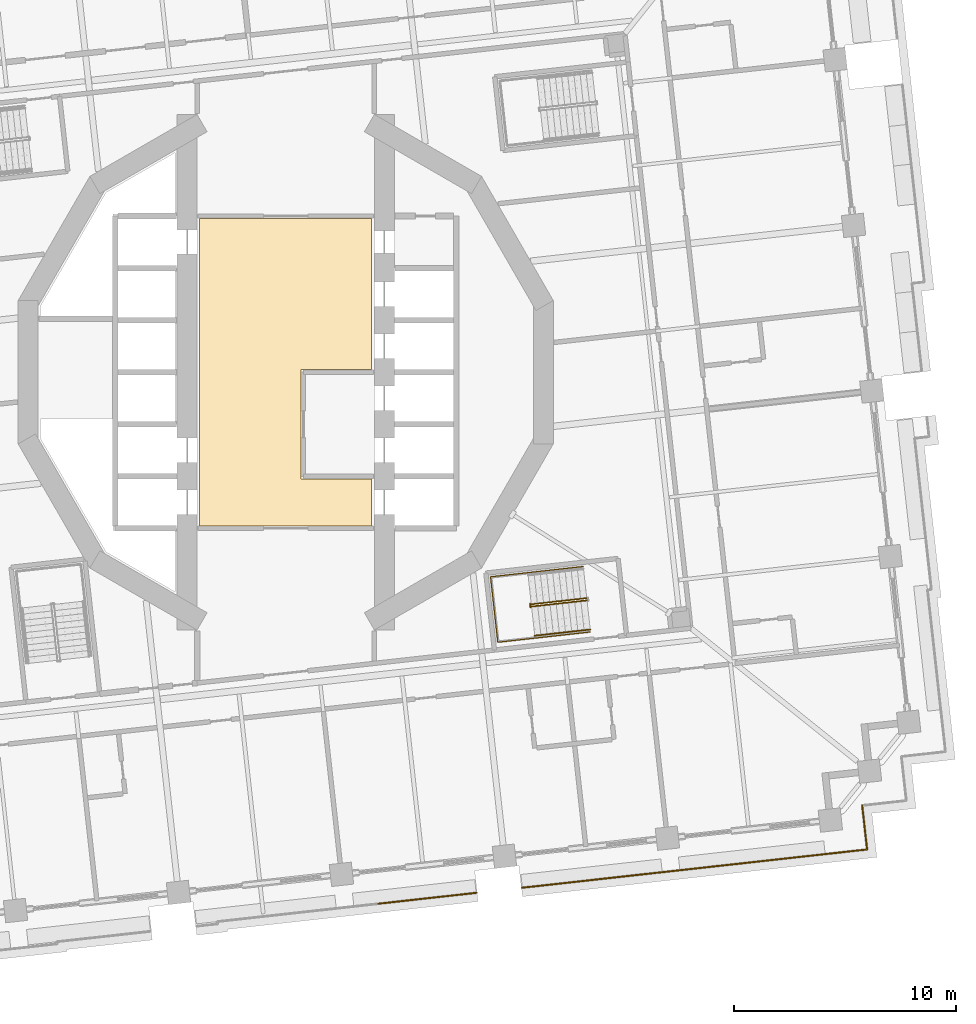
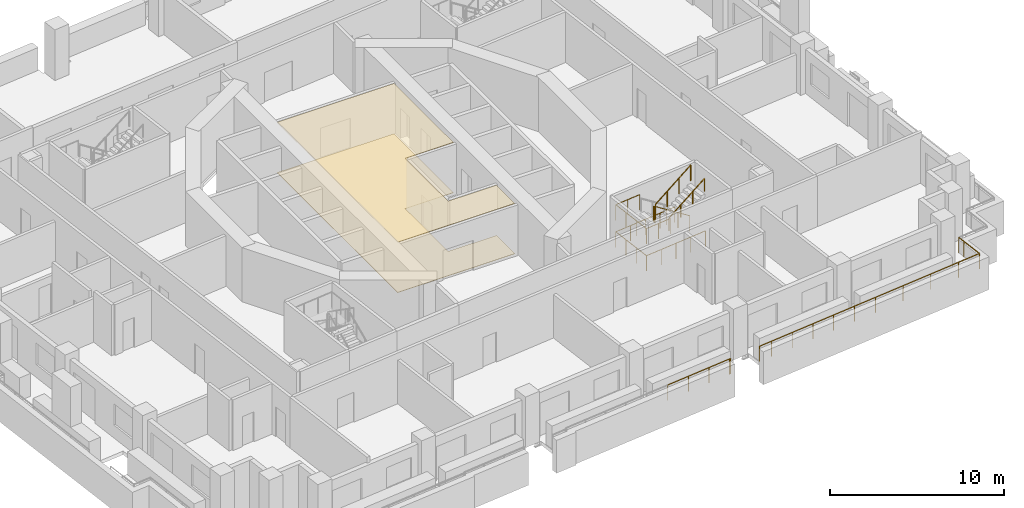
# One storey, part 14 of 19: 7 railings, 2 coverings.
"""IFC4 building model written with IfcOpenShell, lengths in metres."""

from ifc_helpers import new_model, si_unit, direction, frame, origin, origin_2d, place, context, subcontext, project, spatial, polyline, circle, outline, extrude, material, layer, layer_set, type_object, element, save


model = new_model("IFC4")

# Units and contexts
model_context = context("Model", 3, precision=1e-05, world=origin(), true_north=direction((0.0, 1.0)))
body_context = subcontext(model_context, "Body", "Model", "MODEL_VIEW")
ifc_project = project(units=[si_unit("LENGTHUNIT", "METRE"), si_unit("AREAUNIT", "SQUARE_METRE"), si_unit("VOLUMEUNIT", "CUBIC_METRE"), si_unit("PLANEANGLEUNIT", "RADIAN"), si_unit("MASSUNIT", "GRAM", prefix="KILO")], contexts=[model_context])

# Site, building, storey
site_placement = place(None, origin())
site = spatial("IfcSite", under=ifc_project, at=site_placement, CompositionType="ELEMENT")
building_placement = place(site_placement, origin())
building = spatial("IfcBuilding", under=site, at=building_placement, Name="Cantera Rosa Tower", CompositionType="ELEMENT")
storey_placement = place(building_placement, frame((0.0, 0.0, 53.89990234375)))
storey = spatial("IfcBuildingStorey", under=building, at=storey_placement, Name="L10", CompositionType="ELEMENT", Elevation=53.89990234375)

# Railings
ifc_material_1 = material(Name="Stainless steel and laminated glass", Category="steel")
railing_type_1 = type_object("IfcRailingType", Name="GUARD 1100", PredefinedType="BALUSTRADE", material=ifc_material_1)
railing_1_placement = place(storey_placement, frame((8.6142578125, -23.4931640625, 0.0)))
element("IfcRailing", 1, at=railing_1_placement, inside=storey, type_object=railing_type_1, Name="GUARD L10-8", PredefinedType="BALUSTRADE", context=body_context, shape_type="SweptSolid", body=[
    extrude(circle(Radius=0.030029296875, at=origin_2d()), frame((0.0, 0.0, 1.070068359375), z_axis=(-0.994136314057, -0.108134125389, 0.0), x_axis=(0.108134125389, -0.994136314057, 0.0)), (0.0, 0.0, 1.0), 0.070068359375),
    extrude(circle(Radius=0.030029296875, at=origin_2d()), frame((-0.069580078125, -0.007568359375, 1.070068359375), z_axis=(-0.993891851654, -0.110358448777, 0.0), x_axis=(0.110358448777, -0.993891851654, 0.0)), (0.0, 0.0, 1.0), 4.400146484375),
    extrude(circle(Radius=0.02490234375, at=origin_2d()), origin(), (0.0, 0.0, 1.0), 1.0400390625),
    extrude(circle(Radius=0.02490234375, at=origin_2d()), frame((-0.069580078125, -0.007568359375, 0.0)), (0.0, 0.0, 1.0), 1.0400390625),
    extrude(circle(Radius=0.02490234375, at=origin_2d()), frame((-1.52734375, -0.16943359375, 0.0)), (0.0, 0.0, 1.0), 1.0400390625),
    extrude(circle(Radius=0.02490234375, at=origin_2d()), frame((-2.985107421875, -0.331298828125, 0.0)), (0.0, 0.0, 1.0), 1.0400390625),
    extrude(circle(Radius=0.02490234375, at=origin_2d()), frame((-4.44287109375, -0.4931640625, 0.0)), (0.0, 0.0, 1.0), 1.0400390625),
])
railing_2_placement = place(storey_placement, frame((26.015380859375, -19.549560546875, 0.0)))
element("IfcRailing", 2, at=railing_2_placement, inside=storey, type_object=railing_type_1, Name="GUARD L10-9", PredefinedType="BALUSTRADE", context=body_context, shape_type="SweptSolid", body=[
    extrude(circle(Radius=0.030029296875, at=origin_2d()), frame((0.0, 0.0, 1.070068359375), z_axis=(0.110377921269, -0.9938896893, 0.0), x_axis=(0.9938896893, 0.110377921269, 0.0)), (0.0, 0.0, 1.0), 0.5),
    extrude(circle(Radius=0.030029296875, at=origin_2d()), frame((0.05517578125, -0.496826171875, 1.070068359375), z_axis=(0.110181444005, -0.99391148972, 0.0), x_axis=(0.99391148972, 0.110181444005, 0.0)), (0.0, 0.0, 1.0), 1.5),
    extrude(circle(Radius=0.030029296875, at=origin_2d()), frame((0.220458984375, -1.98779296875, 1.070068359375), z_axis=(-0.993909513469, -0.110199269672, 0.0), x_axis=(0.110199269672, -0.993909513469, 0.0)), (0.0, 0.0, 1.0), 1.499755859375),
    extrude(circle(Radius=0.030029296875, at=origin_2d()), frame((-1.270263671875, -2.153076171875, 1.070068359375), z_axis=(-0.993896343916, -0.1103179838, 0.0), x_axis=(0.1103179838, -0.993896343916, 0.0)), (0.0, 0.0, 1.0), 5.900146484375),
    extrude(circle(Radius=0.030029296875, at=origin_2d()), frame((-7.13427734375, -2.803955078125, 1.070068359375), z_axis=(-0.993892663362, -0.110351138256, 0.0), x_axis=(0.110351138256, -0.993892663362, 0.0)), (0.0, 0.0, 1.0), 3.0),
    extrude(circle(Radius=0.030029296875, at=origin_2d()), frame((-10.115966796875, -3.135009765625, 1.070068359375), z_axis=(-0.993897260817, -0.110309722784, 0.0), x_axis=(0.110309722784, -0.993897260817, 0.0)), (0.0, 0.0, 1.0), 4.39990234375),
    extrude(circle(Radius=0.030029296875, at=origin_2d()), frame((-14.489013671875, -3.620361328125, 1.070068359375), z_axis=(-0.993900832769, -0.110277534522, 0.0), x_axis=(0.110277534522, -0.993900832769, 0.0)), (0.0, 0.0, 1.0), 0.8701171875),
    extrude(circle(Radius=0.02490234375, at=origin_2d()), origin(), (0.0, 0.0, 1.0), 1.0400390625),
    extrude(circle(Radius=0.02490234375, at=origin_2d()), frame((0.05517578125, -0.496826171875, 0.0)), (0.0, 0.0, 1.0), 1.0400390625),
    extrude(circle(Radius=0.02490234375, at=origin_2d()), frame((0.220458984375, -1.98779296875, 0.0)), (0.0, 0.0, 1.0), 1.0400390625),
    extrude(circle(Radius=0.02490234375, at=origin_2d()), frame((-1.270263671875, -2.153076171875, 0.0)), (0.0, 0.0, 1.0), 1.0400390625),
    extrude(circle(Radius=0.02490234375, at=origin_2d()), frame((-3.224853515625, -2.3701171875, 0.0)), (0.0, 0.0, 1.0), 1.0400390625),
    extrude(circle(Radius=0.02490234375, at=origin_2d()), frame((-5.1796875, -2.5869140625, 0.0)), (0.0, 0.0, 1.0), 1.0400390625),
    extrude(circle(Radius=0.02490234375, at=origin_2d()), frame((-7.13427734375, -2.803955078125, 0.0)), (0.0, 0.0, 1.0), 1.0400390625),
    extrude(circle(Radius=0.02490234375, at=origin_2d()), frame((-8.625, -2.969482421875, 0.0)), (0.0, 0.0, 1.0), 1.0400390625),
    extrude(circle(Radius=0.02490234375, at=origin_2d()), frame((-10.115966796875, -3.135009765625, 0.0)), (0.0, 0.0, 1.0), 1.0400390625),
    extrude(circle(Radius=0.02490234375, at=origin_2d()), frame((-11.57373046875, -3.296875, 0.0)), (0.0, 0.0, 1.0), 1.0400390625),
    extrude(circle(Radius=0.02490234375, at=origin_2d()), frame((-13.03125, -3.45849609375, 0.0)), (0.0, 0.0, 1.0), 1.0400390625),
    extrude(circle(Radius=0.02490234375, at=origin_2d()), frame((-14.489013671875, -3.620361328125, 0.0)), (0.0, 0.0, 1.0), 1.0400390625),
    extrude(circle(Radius=0.02490234375, at=origin_2d()), frame((-15.353759765625, -3.71630859375, 0.0)), (0.0, 0.0, 1.0), 1.0400390625),
])
ifc_material_2 = material(Name="Steel S355J2 (EN 10025-2)", Category="steel")
railing_type_2 = type_object("IfcRailingType", Name="STAIR GUARD 1100", PredefinedType="GUARDRAIL", material=ifc_material_2)
railing_3_placement = place(storey_placement, frame((13.5859375, -10.19677734375, 0.190185546875)))
element("IfcRailing", 3, at=railing_3_placement, inside=storey, type_object=railing_type_2, Name="L10 ST-14 stair guard 1", PredefinedType="GUARDRAIL", context=body_context, shape_type="SweptSolid", body=[
    extrude(circle(Radius=0.02392578125, at=origin_2d()), frame((0.0, 0.0, 1.076171875), z_axis=(-0.822405392514, -0.091316020869, 0.561525382059), x_axis=(0.110357086308, -0.993892002937, 0.0)), (0.0, 0.0, 1.0), 3.045166015625),
    extrude(circle(Radius=0.02392578125, at=origin_2d()), frame((-2.50439453125, -0.278076171875, 2.7861328125), z_axis=(-0.933456941688, 0.358689472963, 0.0), x_axis=(-0.358689472963, -0.933456941688, 0.0)), (0.0, 0.0, 1.0), 0.056396484375),
    extrude(circle(Radius=0.02392578125, at=origin_2d()), frame((-2.55712890625, -0.2578125, 2.7861328125), z_axis=(0.110789159685, -0.993843932464, 0.0), x_axis=(0.993843932464, 0.110789159685, 0.0)), (0.0, 0.0, 1.0), 0.14990234375),
    extrude(circle(Radius=0.02099609375, at=origin_2d()), origin(), (0.0, 0.0, 1.0), 1.052001953125),
    extrude(circle(Radius=0.02099609375, at=origin_2d()), frame((-0.834716796875, -0.0927734375, 0.570068359375)), (0.0, 0.0, 1.0), 1.052001953125),
    extrude(circle(Radius=0.02099609375, at=origin_2d()), frame((-1.669677734375, -0.185302734375, 1.139892578125)), (0.0, 0.0, 1.0), 1.052001953125),
    extrude(circle(Radius=0.02099609375, at=origin_2d()), frame((-2.50439453125, -0.278076171875, 1.7099609375)), (0.0, 0.0, 1.0), 1.052001953125),
    extrude(circle(Radius=0.02099609375, at=origin_2d()), frame((-2.55712890625, -0.2578125, 1.7099609375)), (0.0, 0.0, 1.0), 1.052001953125),
    extrude(circle(Radius=0.02099609375, at=origin_2d()), frame((-2.54052734375, -0.40673828125, 1.7099609375)), (0.0, 0.0, 1.0), 1.052001953125),
])
railing_4_placement = place(storey_placement, frame((11.09228515625, -10.572265625, 2.090087890625)))
element("IfcRailing", 4, at=railing_4_placement, inside=storey, type_object=railing_type_2, Name="L10 ST-14 stair guard 2", PredefinedType="GUARDRAIL", context=body_context, shape_type="SweptSolid", body=[
    extrude(circle(Radius=0.02392578125, at=origin_2d()), frame((0.0, 0.0, 1.076171875), z_axis=(0.822431337597, 0.091310000343, 0.561488360321), x_axis=(-0.110346460196, 0.993893182753, 0.0)), (0.0, 0.0, 1.0), 3.04541015625),
    extrude(circle(Radius=0.02099609375, at=origin_2d()), origin(), (0.0, 0.0, 1.0), 1.052001953125),
    extrude(circle(Radius=0.02099609375, at=origin_2d()), frame((0.8349609375, 0.0927734375, 0.570068359375)), (0.0, 0.0, 1.0), 1.052001953125),
    extrude(circle(Radius=0.02099609375, at=origin_2d()), frame((1.669677734375, 0.185302734375, 1.139892578125)), (0.0, 0.0, 1.0), 1.052001953125),
    extrude(circle(Radius=0.02099609375, at=origin_2d()), frame((2.504638671875, 0.278076171875, 1.7099609375)), (0.0, 0.0, 1.0), 1.052001953125),
])
railing_5_placement = place(storey_placement, frame((13.415771484375, -8.77099609375, 0.0)))
element("IfcRailing", 5, at=railing_5_placement, inside=storey, type_object=railing_type_2, Name="L10 ST-14 stair guard 4", PredefinedType="GUARDRAIL", context=body_context, shape_type="SweptSolid", body=[
    extrude(circle(Radius=0.02392578125, at=origin_2d()), frame((0.0, 0.0, 1.076171875), z_axis=(-0.9938957856, -0.110323013767, 0.0), x_axis=(0.110323013767, -0.9938957856, 0.0)), (0.0, 0.0, 1.0), 4.197998046875),
    extrude(circle(Radius=0.02392578125, at=origin_2d()), frame((-4.17236328125, -0.463134765625, 1.076171875), z_axis=(0.110314237986, -0.993896759678, 0.0), x_axis=(0.993896759678, 0.110314237986, 0.0)), (0.0, 0.0, 1.0), 2.969970703125),
    extrude(circle(Radius=0.02392578125, at=origin_2d()), frame((-3.8447265625, -3.4150390625, 1.076171875), z_axis=(0.9938957856, 0.110323013767, 0.0), x_axis=(-0.110323013767, 0.9938957856, 0.0)), (0.0, 0.0, 1.0), 4.197998046875),
    extrude(circle(Radius=0.02099609375, at=origin_2d()), origin(), (0.0, 0.0, 1.0), 1.052001953125),
    extrude(circle(Radius=0.02099609375, at=origin_2d()), frame((-1.04296875, -0.11572265625, 0.0)), (0.0, 0.0, 1.0), 1.052001953125),
    extrude(circle(Radius=0.02099609375, at=origin_2d()), frame((-2.086181640625, -0.2314453125, 0.0)), (0.0, 0.0, 1.0), 1.052001953125),
    extrude(circle(Radius=0.02099609375, at=origin_2d()), frame((-3.12939453125, -0.347412109375, 0.0)), (0.0, 0.0, 1.0), 1.052001953125),
    extrude(circle(Radius=0.02099609375, at=origin_2d()), frame((-4.17236328125, -0.463134765625, 0.0)), (0.0, 0.0, 1.0), 1.052001953125),
    extrude(circle(Radius=0.02099609375, at=origin_2d()), frame((-4.063232421875, -1.447021484375, 0.0)), (0.0, 0.0, 1.0), 1.052001953125),
    extrude(circle(Radius=0.02099609375, at=origin_2d()), frame((-3.953857421875, -2.43115234375, 0.0)), (0.0, 0.0, 1.0), 1.052001953125),
    extrude(circle(Radius=0.02099609375, at=origin_2d()), frame((-3.8447265625, -3.4150390625, 0.0)), (0.0, 0.0, 1.0), 1.052001953125),
    extrude(circle(Radius=0.02099609375, at=origin_2d()), frame((-2.8017578125, -3.29931640625, 0.0)), (0.0, 0.0, 1.0), 1.052001953125),
    extrude(circle(Radius=0.02099609375, at=origin_2d()), frame((-1.758544921875, -3.18359375, 0.0)), (0.0, 0.0, 1.0), 1.052001953125),
    extrude(circle(Radius=0.02099609375, at=origin_2d()), frame((-0.71533203125, -3.067626953125, 0.0)), (0.0, 0.0, 1.0), 1.052001953125),
    extrude(circle(Radius=0.02099609375, at=origin_2d()), frame((0.32763671875, -2.951904296875, 0.0)), (0.0, 0.0, 1.0), 1.052001953125),
])
railing_6_placement = place(storey_placement, frame((10.93505859375, -9.04638671875, 1.900146484375)))
element("IfcRailing", 6, at=railing_6_placement, inside=storey, type_object=railing_type_2, Name="L10 ST-14 stair guard 5", PredefinedType="GUARDRAIL", context=body_context, shape_type="SweptSolid", body=[
    extrude(circle(Radius=0.02392578125, at=origin_2d()), frame((0.0, 0.0, 1.076171875), z_axis=(-0.993897720867, -0.110305577623, 0.0), x_axis=(0.110305577623, -0.993897720867, 0.0)), (0.0, 0.0, 1.0), 1.7021484375),
    extrude(circle(Radius=0.02392578125, at=origin_2d()), frame((-1.691650390625, -0.187744140625, 1.076171875), z_axis=(0.110314237986, -0.993896759678, 0.0), x_axis=(0.993896759678, 0.110314237986, 0.0)), (0.0, 0.0, 1.0), 2.969970703125),
    extrude(circle(Radius=0.02392578125, at=origin_2d()), frame((-1.364013671875, -3.1396484375, 1.076171875), z_axis=(0.993881985305, 0.110447269257, 0.0), x_axis=(-0.110447269257, 0.993881985305, 0.0)), (0.0, 0.0, 1.0), 1.7021484375),
    extrude(circle(Radius=0.02099609375, at=origin_2d()), origin(), (0.0, 0.0, 1.0), 1.052001953125),
    extrude(circle(Radius=0.02099609375, at=origin_2d()), frame((-0.845703125, -0.09375, 0.0)), (0.0, 0.0, 1.0), 1.052001953125),
    extrude(circle(Radius=0.02099609375, at=origin_2d()), frame((-1.691650390625, -0.187744140625, 0.0)), (0.0, 0.0, 1.0), 1.052001953125),
    extrude(circle(Radius=0.02099609375, at=origin_2d()), frame((-1.58251953125, -1.171630859375, 0.0)), (0.0, 0.0, 1.0), 1.052001953125),
    extrude(circle(Radius=0.02099609375, at=origin_2d()), frame((-1.47314453125, -2.15576171875, 0.0)), (0.0, 0.0, 1.0), 1.052001953125),
    extrude(circle(Radius=0.02099609375, at=origin_2d()), frame((-1.364013671875, -3.1396484375, 0.0)), (0.0, 0.0, 1.0), 1.052001953125),
    extrude(circle(Radius=0.02099609375, at=origin_2d()), frame((-0.51806640625, -3.045654296875, 0.0)), (0.0, 0.0, 1.0), 1.052001953125),
    extrude(circle(Radius=0.02099609375, at=origin_2d()), frame((0.32763671875, -2.95166015625, 0.0)), (0.0, 0.0, 1.0), 1.052001953125),
])
ifc_material_3 = material(Name="Steel S355J2 (EN 10025-2)", Category="steel")
railing_type_3 = type_object("IfcRailingType", Name="STAIR HANDRAIL 900", PredefinedType="HANDRAIL", material=ifc_material_3)
railing_7_placement = place(storey_placement, frame((11.238525390625, -11.89013671875, 2.090087890625)))
element("IfcRailing", 7, at=railing_7_placement, inside=storey, type_object=railing_type_3, Name="L10 ST-14 stair handrail 2", PredefinedType="HANDRAIL", context=body_context, shape_type="SweptSolid", body=[
    extrude(circle(Radius=0.02392578125, at=origin_2d()), frame((0.0, 0.0, 0.8759765625), z_axis=(0.822431337597, 0.091310000343, 0.561488360321), x_axis=(-0.110346460196, 0.993893182753, 0.0)), (0.0, 0.0, 1.0), 3.04541015625),
    extrude(circle(Radius=0.02099609375, at=origin_2d()), origin(), (0.0, 0.0, 1.0), 0.851806640625),
    extrude(circle(Radius=0.02099609375, at=origin_2d()), frame((0.8349609375, 0.0927734375, 0.570068359375)), (0.0, 0.0, 1.0), 0.851806640625),
    extrude(circle(Radius=0.02099609375, at=origin_2d()), frame((1.669677734375, 0.185302734375, 1.139892578125)), (0.0, 0.0, 1.0), 0.851806640625),
    extrude(circle(Radius=0.02099609375, at=origin_2d()), frame((2.504638671875, 0.278076171875, 1.7099609375)), (0.0, 0.0, 1.0), 0.851806640625),
])

# Coverings
ifc_material_4 = material(Name="Limestone paving", Category="masonry")
ifc_layer_1 = layer(ifc_material_4, 0.02490234375)
ifc_layer_set_1 = layer_set([ifc_layer_1], Name="STONE FLOOR FINISH 25")
covering_type_1 = type_object("IfcCoveringType", Name="STONE FLOOR FINISH 25", PredefinedType="FLOORING", material=ifc_layer_set_1)
covering_1_placement = place(storey_placement, origin())
element("IfcCovering", 8, at=covering_1_placement, inside=storey, type_object=covering_type_1, Name="STONE FLOOR FINISH L10", PredefinedType="FLOORING", context=body_context, shape_type="SweptSolid", body=[
    extrude(outline(polyline([(3.8798828125, 6.929931640625), (3.8798828125, 0.1201171875), (0.679931640625, 0.1201171875), (0.679931640625, -4.820068359375), (3.8798828125, -4.820068359375), (3.8798828125, -6.929931640625), (-3.8798828125, -6.929931640625), (-3.8798828125, 6.929931640625), (3.8798828125, 6.929931640625)])), origin(), (0.0, 0.0, 1.0), 0.025146484375),
])
ifc_material_5 = material(Name="Gypsum ceiling tile")
ifc_layer_2 = layer(ifc_material_5, 0.030029296875)
ifc_layer_set_2 = layer_set([ifc_layer_2], Name="SUSPENDED CEILING 30")
covering_type_2 = type_object("IfcCoveringType", Name="SUSPENDED CEILING 30", PredefinedType="CEILING", material=ifc_layer_set_2)
covering_2_placement = place(storey_placement, frame((0.0, 0.0, 3.52001953125)))
element("IfcCovering", 9, at=covering_2_placement, inside=storey, type_object=covering_type_2, Name="SUSPENDED CEILING L10", PredefinedType="CEILING", context=body_context, shape_type="SweptSolid", body=[
    extrude(outline(polyline([(3.8798828125, 6.929931640625), (3.8798828125, 0.1201171875), (0.679931640625, 0.1201171875), (0.679931640625, -4.820068359375), (3.8798828125, -4.820068359375), (3.8798828125, -6.929931640625), (-3.8798828125, -6.929931640625), (-3.8798828125, 6.929931640625), (3.8798828125, 6.929931640625)])), origin(), (0.0, 0.0, 1.0), 0.030029296875),
])

save(model, "model.ifc")
